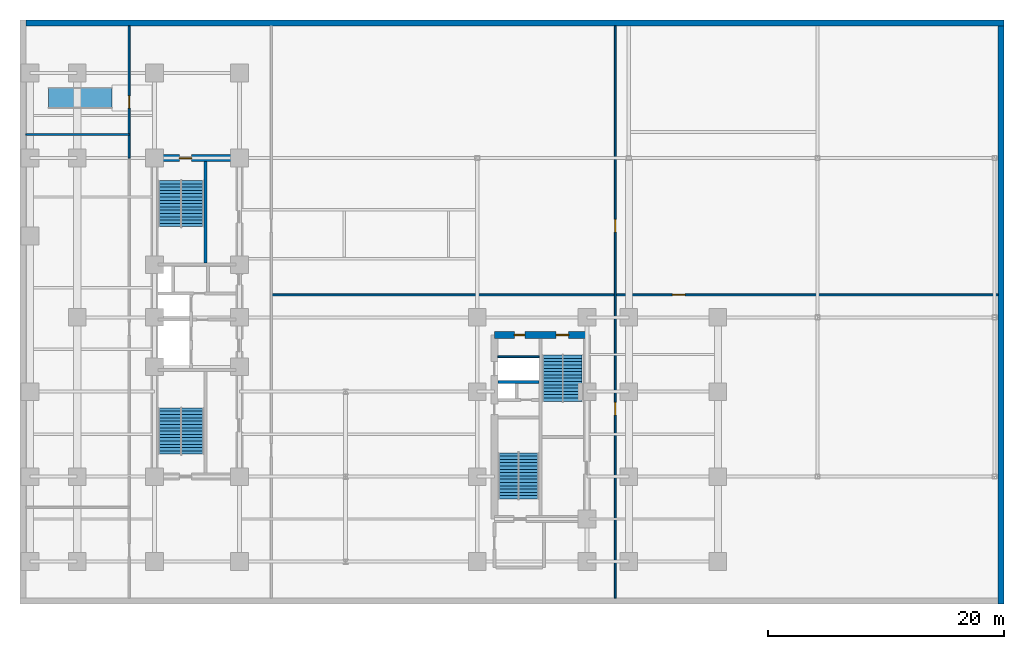
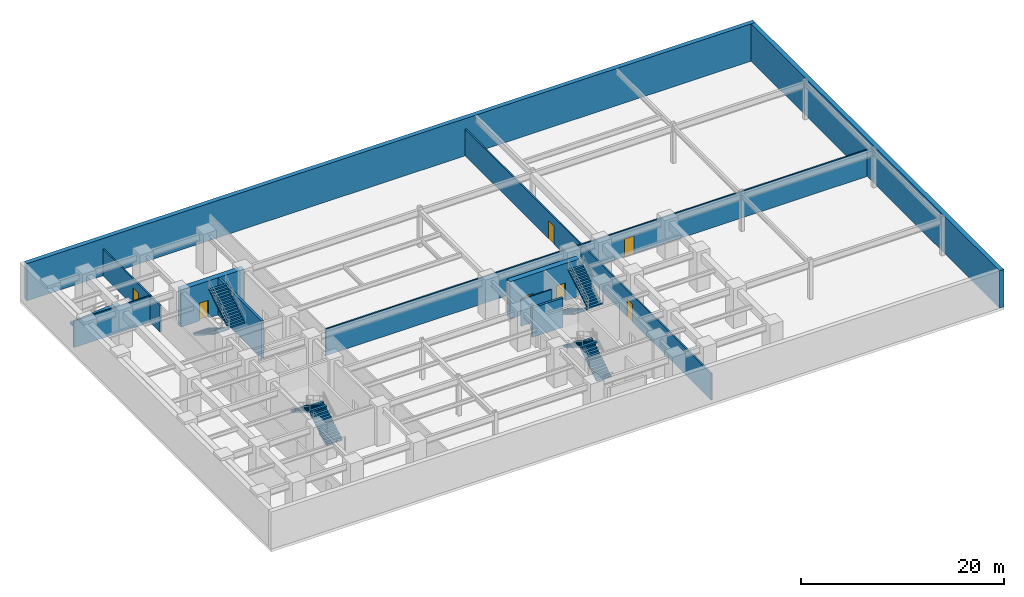
# One storey, part 6 of 9: 11 walls, 8 stair flights, 7 doors, 1 ramp flight, 7 openings, 5 elements without a shape of their own.
"""IFC4 building model written with IfcOpenShell, lengths in metres."""

from ifc_helpers import new_model, entity, si_unit, converted_unit, direction, frame, origin_with_axes, origin_2d_with_axis, place, context, subcontext, project, spatial, polyline, rectangle, outline, extrude, triangles, material, layer, layer_set, type_object, element, fill, aggregate, save


model = new_model("IFC4")

# Units and contexts
model_context = context("Model", 3, precision=1e-05, world=origin_with_axes(), true_north=direction((0.0, 1.0)))
body_context = subcontext(model_context, "Body", "Model", "MODEL_VIEW")
ifc_project = project(units=[si_unit("LENGTHUNIT", "METRE"), si_unit("AREAUNIT", "SQUARE_METRE"), si_unit("VOLUMEUNIT", "CUBIC_METRE"), converted_unit("PLANEANGLEUNIT", "DEGREE", entity("IfcPlaneAngleMeasure", 0.017453292519943295), si_unit("PLANEANGLEUNIT", "RADIAN"), dimensions=[0, 0, 0, 0, 0, 0, 0]), si_unit("MASSUNIT", "GRAM", prefix="KILO"), si_unit("THERMODYNAMICTEMPERATUREUNIT", "KELVIN")], contexts=[model_context])

# Site, building, storey
site_placement = place(None, origin_with_axes())
site = spatial("IfcSite", under=ifc_project, at=site_placement, CompositionType="ELEMENT")
building_placement = place(site_placement, origin_with_axes())
building = spatial("IfcBuilding", under=site, at=building_placement, Name="Varnlund Millrace Tower", CompositionType="ELEMENT")
storey_placement = place(building_placement, frame((0.0, 0.0, -4.8), z_axis=(0.0, 0.0, 1.0), x_axis=(1.0, 0.0, 0.0)))
storey = spatial("IfcBuildingStorey", under=building, at=storey_placement, Name="B1", CompositionType="ELEMENT", Elevation=-4.8)

# Wall, opening, door
ifc_material_1 = material(Name="Concrete C80/95", Category="concrete")
ifc_layer_1 = layer(ifc_material_1, 0.6, Name="Concrete C80/95")
ifc_layer_set_1 = layer_set([ifc_layer_1], Name="Concrete C80/95")
wall_type_1 = type_object("IfcWallType", Name="Type-CoreWall-Shear-600-C80", PredefinedType="SHEAR", material=ifc_layer_set_1)
wall_1_placement = place(storey_placement, frame((11.4, 37.8, 0.0), z_axis=(0.0, 0.0, 1.0), x_axis=(1.0, 0.0, 0.0)))
wall_1 = element("IfcWall", 1, at=wall_1_placement, inside=storey, type_object=wall_type_1, Name="Type-CoreWall-Shear-600-C80", PredefinedType="SHEAR", context=body_context, shape_type="SweptSolid", body=[
    extrude(outline(polyline([(0.0, -0.3), (7.2, -0.3), (7.2, 0.3), (0.0, 0.3), (0.0, -0.3)])), origin_with_axes(), (0.0, 0.0, 1.0), 4.48),
])
opening_1_placement = place(wall_1_placement, frame((2.625, 0.0, 0.0), z_axis=(0.0, 0.0, 1.0), x_axis=(1.0, 0.0, 0.0)))
opening_1 = element("IfcOpeningElement", 2, at=opening_1_placement, cuts=wall_1, Name="Opening B1:DR-STA2", PredefinedType="OPENING", context=body_context, shape_type="SweptSolid", body=[
    extrude(rectangle(XDim=1.05, YDim=0.62, at=origin_2d_with_axis()), origin_with_axes(), (0.0, 0.0, 1.0), 2.15),
])
ifc_material_2 = material(Name="Fire-rated hollow steel door", Category="steel")
door_type_1 = type_object("IfcDoorType", Name="Type-FireDoor-Stair-1050X2150", OperationType="NOTDEFINED", PredefinedType="DOOR", material=ifc_material_2)
door_1_placement = place(wall_1_placement, frame((2.625, 0.0, 0.0), z_axis=(0.0, 0.0, 1.0), x_axis=(1.0, 0.0, 0.0)))
door_1 = element("IfcDoor", 3, at=door_1_placement, inside=storey, type_object=door_type_1, Name="Type-FireDoor-Stair-1050X2150", OperationType="SINGLE_SWING_RIGHT", OverallHeight=2.15, OverallWidth=1.05, PredefinedType="DOOR", context=body_context, shape_type="SweptSolid", body=[
    extrude(rectangle(XDim=1.05, YDim=0.09, at=origin_2d_with_axis()), origin_with_axes(), (0.0, 0.0, 1.0), 2.15),
])
fill(opening_1, door_1)

# Wall, openings, doors
wall_2_placement = place(storey_placement, frame((40.2, 22.8, 0.0), z_axis=(0.0, 0.0, 1.0), x_axis=(1.0, 0.0, 0.0)))
wall_2 = element("IfcWall", 4, at=wall_2_placement, inside=storey, type_object=wall_type_1, Name="Type-CoreWall-Shear-600-C80", PredefinedType="SHEAR", context=body_context, shape_type="SweptSolid", body=[
    extrude(outline(polyline([(0.0, -0.3), (7.85, -0.3), (7.85, 0.3), (0.0, 0.3), (0.0, -0.3)])), origin_with_axes(), (0.0, 0.0, 1.0), 4.48),
])
opening_2_placement = place(wall_2_placement, frame((5.775, 0.0, 0.0), z_axis=(0.0, 0.0, 1.0), x_axis=(1.0, 0.0, 0.0)))
opening_2 = element("IfcOpeningElement", 5, at=opening_2_placement, cuts=wall_2, Name="Opening B1:DR-STB2", PredefinedType="OPENING", context=body_context, shape_type="SweptSolid", body=[
    extrude(rectangle(XDim=1.05, YDim=0.62, at=origin_2d_with_axis()), origin_with_axes(), (0.0, 0.0, 1.0), 2.15),
])
opening_3_placement = place(wall_2_placement, frame((2.15, 0.0, 0.0), z_axis=(0.0, 0.0, 1.0), x_axis=(1.0, 0.0, 0.0)))
opening_3 = element("IfcOpeningElement", 6, at=opening_3_placement, cuts=wall_2, Name="Opening B1:DR-CB-NW", PredefinedType="OPENING", context=body_context, shape_type="SweptSolid", body=[
    extrude(rectangle(XDim=0.9, YDim=0.62, at=origin_2d_with_axis()), origin_with_axes(), (0.0, 0.0, 1.0), 2.15),
])
ifc_material_3 = material(Name="Fire-rated hollow steel service closet door", Category="steel")
door_type_2 = type_object("IfcDoorType", Name="Type-FireDoor-Closet-900X2150", OperationType="NOTDEFINED", PredefinedType="DOOR", material=ifc_material_3)
door_2_placement = place(wall_2_placement, frame((2.15, 0.0, 0.0), z_axis=(0.0, 0.0, 1.0), x_axis=(1.0, 0.0, 0.0)))
door_2 = element("IfcDoor", 7, at=door_2_placement, inside=storey, type_object=door_type_2, Name="Type-FireDoor-Closet-900X2150", OperationType="SINGLE_SWING_LEFT", OverallHeight=2.15, OverallWidth=0.9, PredefinedType="DOOR", context=body_context, shape_type="SweptSolid", body=[
    extrude(rectangle(XDim=0.9, YDim=0.09, at=origin_2d_with_axis()), origin_with_axes(), (0.0, 0.0, 1.0), 2.15),
])
fill(opening_3, door_2)
door_3_placement = place(wall_2_placement, frame((5.775, 0.0, 0.0), z_axis=(0.0, 0.0, 1.0), x_axis=(1.0, 0.0, 0.0)))
door_3 = element("IfcDoor", 8, at=door_3_placement, inside=storey, type_object=door_type_1, Name="Type-FireDoor-Stair-1050X2150", OperationType="SINGLE_SWING_RIGHT", OverallHeight=2.15, OverallWidth=1.05, PredefinedType="DOOR", context=body_context, shape_type="SweptSolid", body=[
    extrude(rectangle(XDim=1.05, YDim=0.09, at=origin_2d_with_axis()), origin_with_axes(), (0.0, 0.0, 1.0), 2.15),
])
fill(opening_2, door_3)

# Wall
ifc_material_4 = material(Name="Fire-rated gypsum board on cold-formed steel framing", Category="steel")
ifc_layer_2 = layer(ifc_material_4, 0.16, Name="Fire-rated gypsum board on cold-formed steel framing")
ifc_layer_set_2 = layer_set([ifc_layer_2], Name="Fire-rated gypsum board on cold-formed steel framing")
wall_type_2 = type_object("IfcWallType", Name="Type-Partition-Corridor-160", PredefinedType="PARTITIONING", material=ifc_layer_set_2)
wall_3_placement = place(storey_placement, frame((40.5, 20.96, 0.0), z_axis=(0.0, 0.0, 1.0), x_axis=(1.0, 0.0, 0.0)))
element("IfcWall", 9, at=wall_3_placement, inside=storey, type_object=wall_type_2, Name="Type-Partition-Corridor-160", PredefinedType="PARTITIONING", context=body_context, shape_type="SweptSolid", body=[
    extrude(outline(polyline([(0.0, -0.08), (3.5, -0.08), (3.5, 0.08), (0.0, 0.08), (0.0, -0.08)])), origin_with_axes(), (0.0, 0.0, 1.0), 3.2),
])

# Wall, opening, door
wall_4_placement = place(storey_placement, frame((9.25, 37.8, 0.0), z_axis=(0.0, 0.0, 1.0), x_axis=(0.0, 1.0, 0.0)))
wall_4 = element("IfcWall", 10, at=wall_4_placement, inside=storey, type_object=wall_type_2, Name="Type-Partition-Corridor-160", PredefinedType="PARTITIONING", context=body_context, shape_type="SweptSolid", body=[
    extrude(outline(polyline([(0.0, -0.08), (11.2, -0.08), (11.2, 0.08), (0.0, 0.08), (0.0, -0.08)])), origin_with_axes(), (0.0, 0.0, 1.0), 3.2),
])
opening_4_placement = place(wall_4_placement, frame((4.75, 0.0, 0.0), z_axis=(0.0, 0.0, 1.0), x_axis=(1.0, 0.0, 0.0)))
opening_4 = element("IfcOpeningElement", 11, at=opening_4_placement, cuts=wall_4, Name="Opening B1:DR-SUB", PredefinedType="OPENING", context=body_context, shape_type="SweptSolid", body=[
    extrude(rectangle(XDim=1.1, YDim=0.18, at=origin_2d_with_axis()), origin_with_axes(), (0.0, 0.0, 1.0), 2.15),
])
ifc_material_5 = material(Name="Fire-rated mechanical room steel door", Category="steel")
door_type_3 = type_object("IfcDoorType", Name="Type-FireDoor-Plant-1100X2150", OperationType="NOTDEFINED", PredefinedType="DOOR", material=ifc_material_5)
door_4_placement = place(wall_4_placement, frame((4.75, 0.0, 0.0), z_axis=(0.0, 0.0, 1.0), x_axis=(1.0, 0.0, 0.0)))
door_4 = element("IfcDoor", 12, at=door_4_placement, inside=storey, type_object=door_type_3, Name="Type-FireDoor-Plant-1100X2150", OperationType="SINGLE_SWING_LEFT", OverallHeight=2.15, OverallWidth=1.1, PredefinedType="DOOR", context=body_context, shape_type="SweptSolid", body=[
    extrude(rectangle(XDim=1.1, YDim=0.09, at=origin_2d_with_axis()), origin_with_axes(), (0.0, 0.0, 1.0), 2.15),
])
fill(opening_4, door_4)

wall_5_placement = place(storey_placement, frame((21.3, 26.2, 0.0), z_axis=(0.0, 0.0, 1.0), x_axis=(1.0, 0.0, 0.0)))
wall_5 = element("IfcWall", 13, at=wall_5_placement, inside=storey, type_object=wall_type_2, Name="Type-Partition-Corridor-160", PredefinedType="PARTITIONING", context=body_context, shape_type="SweptSolid", body=[
    extrude(outline(polyline([(0.0, -0.08), (61.6, -0.08), (61.6, 0.08), (0.0, 0.08), (0.0, -0.08)])), origin_with_axes(), (0.0, 0.0, 1.0), 3.2),
])
opening_5_placement = place(wall_5_placement, frame((34.55, 0.0, 0.0), z_axis=(0.0, 0.0, 1.0), x_axis=(1.0, 0.0, 0.0)))
opening_5 = element("IfcOpeningElement", 14, at=opening_5_placement, cuts=wall_5, Name="Opening B1:DR-B1-PKG2", PredefinedType="OPENING", context=body_context, shape_type="SweptSolid", body=[
    extrude(rectangle(XDim=1.1, YDim=0.18, at=origin_2d_with_axis()), origin_with_axes(), (0.0, 0.0, 1.0), 2.15),
])
door_5_placement = place(wall_5_placement, frame((34.55, 0.0, 0.0), z_axis=(0.0, 0.0, 1.0), x_axis=(1.0, 0.0, 0.0)))
door_5 = element("IfcDoor", 15, at=door_5_placement, inside=storey, type_object=door_type_3, Name="Type-FireDoor-Plant-1100X2150", OperationType="SINGLE_SWING_LEFT", OverallHeight=2.15, OverallWidth=1.1, PredefinedType="DOOR", context=body_context, shape_type="SweptSolid", body=[
    extrude(rectangle(XDim=1.1, YDim=0.09, at=origin_2d_with_axis()), origin_with_axes(), (0.0, 0.0, 1.0), 2.15),
])
fill(opening_5, door_5)

# Wall, openings, doors
wall_6_placement = place(storey_placement, frame((50.45, 0.5, 0.0), z_axis=(0.0, 0.0, 1.0), x_axis=(0.0, 1.0, 0.0)))
wall_6 = element("IfcWall", 16, at=wall_6_placement, inside=storey, type_object=wall_type_2, Name="Type-Partition-Corridor-160", PredefinedType="PARTITIONING", context=body_context, shape_type="SweptSolid", body=[
    extrude(outline(polyline([(0.0, -0.08), (48.5, -0.08), (48.5, 0.08), (0.0, 0.08), (0.0, -0.08)])), origin_with_axes(), (0.0, 0.0, 1.0), 3.2),
])
opening_6_placement = place(wall_6_placement, frame((31.55, 0.0, 0.0), z_axis=(0.0, 0.0, 1.0), x_axis=(1.0, 0.0, 0.0)))
opening_6 = element("IfcOpeningElement", 17, at=opening_6_placement, cuts=wall_6, Name="Opening B1:DR-PKG", PredefinedType="OPENING", context=body_context, shape_type="SweptSolid", body=[
    extrude(rectangle(XDim=1.1, YDim=0.18, at=origin_2d_with_axis()), origin_with_axes(), (0.0, 0.0, 1.0), 2.15),
])
opening_7_placement = place(wall_6_placement, frame((16.05, 0.0, 0.0), z_axis=(0.0, 0.0, 1.0), x_axis=(1.0, 0.0, 0.0)))
opening_7 = element("IfcOpeningElement", 18, at=opening_7_placement, cuts=wall_6, Name="Opening B1:DR-MDF", PredefinedType="OPENING", context=body_context, shape_type="SweptSolid", body=[
    extrude(rectangle(XDim=1.1, YDim=0.18, at=origin_2d_with_axis()), origin_with_axes(), (0.0, 0.0, 1.0), 2.15),
])
door_6_placement = place(wall_6_placement, frame((31.55, 0.0, 0.0), z_axis=(0.0, 0.0, 1.0), x_axis=(1.0, 0.0, 0.0)))
door_6 = element("IfcDoor", 19, at=door_6_placement, inside=storey, type_object=door_type_3, Name="Type-FireDoor-Plant-1100X2150", OperationType="SINGLE_SWING_LEFT", OverallHeight=2.15, OverallWidth=1.1, PredefinedType="DOOR", context=body_context, shape_type="SweptSolid", body=[
    extrude(rectangle(XDim=1.1, YDim=0.09, at=origin_2d_with_axis()), origin_with_axes(), (0.0, 0.0, 1.0), 2.15),
])
fill(opening_6, door_6)
door_7_placement = place(wall_6_placement, frame((16.05, 0.0, 0.0), z_axis=(0.0, 0.0, 1.0), x_axis=(1.0, 0.0, 0.0)))
door_7 = element("IfcDoor", 20, at=door_7_placement, inside=storey, type_object=door_type_3, Name="Type-FireDoor-Plant-1100X2150", OperationType="SINGLE_SWING_LEFT", OverallHeight=2.15, OverallWidth=1.1, PredefinedType="DOOR", context=body_context, shape_type="SweptSolid", body=[
    extrude(rectangle(XDim=1.1, YDim=0.09, at=origin_2d_with_axis()), origin_with_axes(), (0.0, 0.0, 1.0), 2.15),
])
fill(opening_7, door_7)

# Walls
wall_7_placement = place(storey_placement, frame((0.5, 39.8, 0.0), z_axis=(0.0, 0.0, 1.0), x_axis=(1.0, 0.0, 0.0)))
element("IfcWall", 21, at=wall_7_placement, inside=storey, type_object=wall_type_2, Name="Type-Partition-Corridor-160", PredefinedType="PARTITIONING", context=body_context, shape_type="SweptSolid", body=[
    extrude(outline(polyline([(0.0, -0.08), (8.75, -0.08), (8.75, 0.08), (0.0, 0.08), (0.0, -0.08)])), origin_with_axes(), (0.0, 0.0, 1.0), 3.2),
])
ifc_material_6 = material(Name="Concrete C60/75", Category="concrete")
ifc_layer_3 = layer(ifc_material_6, 0.25, Name="Concrete C60/75")
ifc_layer_set_3 = layer_set([ifc_layer_3], Name="Concrete C60/75")
wall_type_3 = type_object("IfcWallType", Name="Type-ShaftWall-Fire-250", PredefinedType="SOLIDWALL", material=ifc_layer_set_3)
wall_8_placement = place(storey_placement, frame((40.5, 18.8, 0.0), z_axis=(0.0, 0.0, 1.0), x_axis=(1.0, 0.0, 0.0)))
element("IfcWall", 22, at=wall_8_placement, inside=storey, type_object=wall_type_3, Name="Type-ShaftWall-Fire-250", PredefinedType="SOLIDWALL", context=body_context, shape_type="SweptSolid", body=[
    extrude(outline(polyline([(0.0, -0.125), (3.5, -0.125), (3.5, 0.125), (0.0, 0.125), (0.0, -0.125)])), origin_with_axes(), (0.0, 0.0, 1.0), 3.52),
])
wall_type_4 = type_object("IfcWallType", Name="Type-StairWall-Shear-250", PredefinedType="SHEAR", material=ifc_layer_set_3)
wall_9_placement = place(storey_placement, frame((15.725, 28.9, 0.0), z_axis=(0.0, 0.0, 1.0), x_axis=(0.0, 1.0, 0.0)))
element("IfcWall", 23, at=wall_9_placement, inside=storey, type_object=wall_type_4, Name="Type-StairWall-Shear-250", PredefinedType="SHEAR", context=body_context, shape_type="SweptSolid", body=[
    extrude(outline(polyline([(0.0, -0.125), (8.6, -0.125), (8.6, 0.125), (0.0, 0.125), (0.0, -0.125)])), origin_with_axes(), (0.0, 0.0, 1.0), 4.48),
])
ifc_material_7 = material(Name="Concrete C50/60", Category="concrete")
ifc_layer_4 = layer(ifc_material_7, 0.5, Name="Concrete C50/60")
ifc_layer_set_4 = layer_set([ifc_layer_4], Name="Concrete C50/60")
wall_type_5 = type_object("IfcWallType", Name="Type-Subgrade-Wall-500", PredefinedType="USERDEFINED", material=ifc_layer_set_4)
wall_10_placement = place(storey_placement, frame((0.5, 49.25, 0.0), z_axis=(0.0, 0.0, 1.0), x_axis=(1.0, 0.0, 0.0)))
element("IfcWall", 24, at=wall_10_placement, inside=storey, type_object=wall_type_5, Name="Type-Subgrade-Wall-500", ObjectType="RETAININGWALL", PredefinedType="USERDEFINED", context=body_context, shape_type="SweptSolid", body=[
    extrude(outline(polyline([(0.0, -0.25), (82.9, -0.25), (82.9, 0.25), (0.0, 0.25), (0.0, -0.25)])), origin_with_axes(), (0.0, 0.0, 1.0), 4.48),
])
wall_11_placement = place(storey_placement, frame((83.15, 49.0, 0.0), z_axis=(0.0, 0.0, 1.0), x_axis=(0.0, -1.0, 0.0)))
element("IfcWall", 25, at=wall_11_placement, inside=storey, type_object=wall_type_5, Name="Type-Subgrade-Wall-500", ObjectType="RETAININGWALL", PredefinedType="USERDEFINED", context=body_context, shape_type="SweptSolid", body=[
    extrude(outline(polyline([(0.0, -0.25), (49.0, -0.25), (49.0, 0.25), (0.0, 0.25), (0.0, -0.25)])), origin_with_axes(), (0.0, 0.0, 1.0), 4.48),
])

# Stair, stair flights
stair_type_1 = type_object("IfcStairType", Name="Type-Stair-Dogleg-165-480", PredefinedType="HALF_TURN_STAIR", material=ifc_material_7)
stair_1_placement = place(storey_placement, origin_with_axes())
stair_1 = element("IfcStair", 26, at=stair_1_placement, inside=storey, type_object=stair_type_1, Name="Type-Stair-Dogleg-165-480", PredefinedType="HALF_TURN_STAIR")
ifc_material_8 = material(Name="Precast concrete C50/60", Category="concrete")
stair_flight_type_1 = type_object("IfcStairFlightType", Name="Type-Dogleg-Run-165-480", PredefinedType="STRAIGHT", material=ifc_material_8)
stair_flight_1_placement = place(storey_placement, frame((42.225, 8.9, 0.0), z_axis=(1.0, 0.0, 0.0), x_axis=(0.0, 1.0, 0.0)))
stair_flight_1 = element("IfcStairFlight", 27, at=stair_flight_1_placement, type_object=stair_flight_type_1, Name="ST-B1 flight 1", NumberOfRisers=14, NumberOfTreads=14, PredefinedType="STRAIGHT", RiserHeight=0.171429, TreadLength=0.28, context=body_context, shape_type="SweptSolid", body=[
    extrude(outline(polyline([(0.0, 0.0), (0.0, 0.171429), (0.28, 0.171429), (0.28, 0.342857), (0.56, 0.342857), (0.56, 0.514286), (0.84, 0.514286), (0.84, 0.685714), (1.12, 0.685714), (1.12, 0.857143), (1.4, 0.857143), (1.4, 1.028572), (1.68, 1.028572), (1.68, 1.2), (1.96, 1.2), (1.96, 1.371429), (2.24, 1.371429), (2.24, 1.542857), (2.52, 1.542857), (2.52, 1.714286), (2.8, 1.714286), (2.8, 1.885715), (3.08, 1.885715), (3.08, 2.057143), (3.36, 2.057143), (3.36, 2.228572), (3.64, 2.228572), (3.64, 2.4), (3.92, 2.4), (3.92, 2.25), (0.28, 0.0), (0.0, 0.0)])), origin_with_axes(), (0.0, 0.0, 1.0), 1.65),
])
stair_flight_2_placement = place(storey_placement, frame((42.275, 12.82, 2.4), z_axis=(-1.0, 0.0, 0.0), x_axis=(0.0, -1.0, 0.0)))
stair_flight_2 = element("IfcStairFlight", 28, at=stair_flight_2_placement, type_object=stair_flight_type_1, Name="ST-B1 flight 2", NumberOfRisers=14, NumberOfTreads=14, PredefinedType="STRAIGHT", RiserHeight=0.171429, TreadLength=0.28, context=body_context, shape_type="SweptSolid", body=[
    extrude(outline(polyline([(0.0, 0.0), (0.0, 0.171429), (0.28, 0.171429), (0.28, 0.342857), (0.56, 0.342857), (0.56, 0.514286), (0.84, 0.514286), (0.84, 0.685714), (1.12, 0.685714), (1.12, 0.857143), (1.4, 0.857143), (1.4, 1.028572), (1.68, 1.028572), (1.68, 1.2), (1.96, 1.2), (1.96, 1.371429), (2.24, 1.371429), (2.24, 1.542857), (2.52, 1.542857), (2.52, 1.714286), (2.8, 1.714286), (2.8, 1.885715), (3.08, 1.885715), (3.08, 2.057143), (3.36, 2.057143), (3.36, 2.228572), (3.64, 2.228572), (3.64, 2.4), (3.92, 2.4), (3.92, 2.25), (0.28, 0.0), (0.0, 0.0)])), origin_with_axes(), (0.0, 0.0, 1.0), 1.65),
])
aggregate(stair_1, [stair_flight_1, stair_flight_2])

stair_2_placement = place(storey_placement, origin_with_axes())
stair_2 = element("IfcStair", 29, at=stair_2_placement, inside=storey, type_object=stair_type_1, Name="Type-Stair-Dogleg-165-480", PredefinedType="HALF_TURN_STAIR")
stair_flight_3_placement = place(storey_placement, frame((46.025, 21.1, 0.0), z_axis=(-1.0, 0.0, 0.0), x_axis=(0.0, -1.0, 0.0)))
stair_flight_3 = element("IfcStairFlight", 30, at=stair_flight_3_placement, type_object=stair_flight_type_1, Name="ST-B2 flight 1", NumberOfRisers=14, NumberOfTreads=14, PredefinedType="STRAIGHT", RiserHeight=0.171429, TreadLength=0.28, context=body_context, shape_type="SweptSolid", body=[
    extrude(outline(polyline([(0.0, 0.0), (0.0, 0.171429), (0.28, 0.171429), (0.28, 0.342857), (0.56, 0.342857), (0.56, 0.514286), (0.84, 0.514286), (0.84, 0.685714), (1.12, 0.685714), (1.12, 0.857143), (1.4, 0.857143), (1.4, 1.028572), (1.68, 1.028572), (1.68, 1.2), (1.96, 1.2), (1.96, 1.371429), (2.24, 1.371429), (2.24, 1.542857), (2.52, 1.542857), (2.52, 1.714286), (2.8, 1.714286), (2.8, 1.885715), (3.08, 1.885715), (3.08, 2.057143), (3.36, 2.057143), (3.36, 2.228572), (3.64, 2.228572), (3.64, 2.4), (3.92, 2.4), (3.92, 2.25), (0.28, 0.0), (0.0, 0.0)])), origin_with_axes(), (0.0, 0.0, 1.0), 1.65),
])
stair_flight_4_placement = place(storey_placement, frame((45.975, 17.18, 2.4), z_axis=(1.0, 0.0, 0.0), x_axis=(0.0, 1.0, 0.0)))
stair_flight_4 = element("IfcStairFlight", 31, at=stair_flight_4_placement, type_object=stair_flight_type_1, Name="ST-B2 flight 2", NumberOfRisers=14, NumberOfTreads=14, PredefinedType="STRAIGHT", RiserHeight=0.171429, TreadLength=0.28, context=body_context, shape_type="SweptSolid", body=[
    extrude(outline(polyline([(0.0, 0.0), (0.0, 0.171429), (0.28, 0.171429), (0.28, 0.342857), (0.56, 0.342857), (0.56, 0.514286), (0.84, 0.514286), (0.84, 0.685714), (1.12, 0.685714), (1.12, 0.857143), (1.4, 0.857143), (1.4, 1.028572), (1.68, 1.028572), (1.68, 1.2), (1.96, 1.2), (1.96, 1.371429), (2.24, 1.371429), (2.24, 1.542857), (2.52, 1.542857), (2.52, 1.714286), (2.8, 1.714286), (2.8, 1.885715), (3.08, 1.885715), (3.08, 2.057143), (3.36, 2.057143), (3.36, 2.228572), (3.64, 2.228572), (3.64, 2.4), (3.92, 2.4), (3.92, 2.25), (0.28, 0.0), (0.0, 0.0)])), origin_with_axes(), (0.0, 0.0, 1.0), 1.65),
])
aggregate(stair_2, [stair_flight_3, stair_flight_4])

stair_type_2 = type_object("IfcStairType", Name="Type-Stair-Dogleg-185-480", PredefinedType="HALF_TURN_STAIR", material=ifc_material_7)
stair_3_placement = place(storey_placement, origin_with_axes())
stair_3 = element("IfcStair", 32, at=stair_3_placement, inside=storey, type_object=stair_type_2, Name="Type-Stair-Dogleg-185-480", PredefinedType="HALF_TURN_STAIR")
stair_flight_type_2 = type_object("IfcStairFlightType", Name="Type-Dogleg-Run-185-480", PredefinedType="STRAIGHT", material=ifc_material_8)
stair_flight_5_placement = place(storey_placement, frame((13.625, 12.7, 0.0), z_axis=(1.0, 0.0, 0.0), x_axis=(0.0, 1.0, 0.0)))
stair_flight_5 = element("IfcStairFlight", 33, at=stair_flight_5_placement, type_object=stair_flight_type_2, Name="ST-A1 flight 1", NumberOfRisers=14, NumberOfTreads=14, PredefinedType="STRAIGHT", RiserHeight=0.171429, TreadLength=0.28, context=body_context, shape_type="SweptSolid", body=[
    extrude(outline(polyline([(0.0, 0.0), (0.0, 0.171429), (0.28, 0.171429), (0.28, 0.342857), (0.56, 0.342857), (0.56, 0.514286), (0.84, 0.514286), (0.84, 0.685714), (1.12, 0.685714), (1.12, 0.857143), (1.4, 0.857143), (1.4, 1.028572), (1.68, 1.028572), (1.68, 1.2), (1.96, 1.2), (1.96, 1.371429), (2.24, 1.371429), (2.24, 1.542857), (2.52, 1.542857), (2.52, 1.714286), (2.8, 1.714286), (2.8, 1.885715), (3.08, 1.885715), (3.08, 2.057143), (3.36, 2.057143), (3.36, 2.228572), (3.64, 2.228572), (3.64, 2.4), (3.92, 2.4), (3.92, 2.25), (0.28, 0.0), (0.0, 0.0)])), origin_with_axes(), (0.0, 0.0, 1.0), 1.85),
])
stair_flight_6_placement = place(storey_placement, frame((13.675, 16.62, 2.4), z_axis=(-1.0, 0.0, 0.0), x_axis=(0.0, -1.0, 0.0)))
stair_flight_6 = element("IfcStairFlight", 34, at=stair_flight_6_placement, type_object=stair_flight_type_2, Name="ST-A1 flight 2", NumberOfRisers=14, NumberOfTreads=14, PredefinedType="STRAIGHT", RiserHeight=0.171429, TreadLength=0.28, context=body_context, shape_type="SweptSolid", body=[
    extrude(outline(polyline([(0.0, 0.0), (0.0, 0.171429), (0.28, 0.171429), (0.28, 0.342857), (0.56, 0.342857), (0.56, 0.514286), (0.84, 0.514286), (0.84, 0.685714), (1.12, 0.685714), (1.12, 0.857143), (1.4, 0.857143), (1.4, 1.028572), (1.68, 1.028572), (1.68, 1.2), (1.96, 1.2), (1.96, 1.371429), (2.24, 1.371429), (2.24, 1.542857), (2.52, 1.542857), (2.52, 1.714286), (2.8, 1.714286), (2.8, 1.885715), (3.08, 1.885715), (3.08, 2.057143), (3.36, 2.057143), (3.36, 2.228572), (3.64, 2.228572), (3.64, 2.4), (3.92, 2.4), (3.92, 2.25), (0.28, 0.0), (0.0, 0.0)])), origin_with_axes(), (0.0, 0.0, 1.0), 1.85),
])
aggregate(stair_3, [stair_flight_5, stair_flight_6])

stair_4_placement = place(storey_placement, origin_with_axes())
stair_4 = element("IfcStair", 35, at=stair_4_placement, inside=storey, type_object=stair_type_2, Name="Type-Stair-Dogleg-185-480", PredefinedType="HALF_TURN_STAIR")
stair_flight_7_placement = place(storey_placement, frame((13.675, 35.9, 0.0), z_axis=(-1.0, 0.0, 0.0), x_axis=(0.0, -1.0, 0.0)))
stair_flight_7 = element("IfcStairFlight", 36, at=stair_flight_7_placement, type_object=stair_flight_type_2, Name="ST-A2 flight 1", NumberOfRisers=14, NumberOfTreads=14, PredefinedType="STRAIGHT", RiserHeight=0.171429, TreadLength=0.28, context=body_context, shape_type="SweptSolid", body=[
    extrude(outline(polyline([(0.0, 0.0), (0.0, 0.171429), (0.28, 0.171429), (0.28, 0.342857), (0.56, 0.342857), (0.56, 0.514286), (0.84, 0.514286), (0.84, 0.685714), (1.12, 0.685714), (1.12, 0.857143), (1.4, 0.857143), (1.4, 1.028572), (1.68, 1.028572), (1.68, 1.2), (1.96, 1.2), (1.96, 1.371429), (2.24, 1.371429), (2.24, 1.542857), (2.52, 1.542857), (2.52, 1.714286), (2.8, 1.714286), (2.8, 1.885715), (3.08, 1.885715), (3.08, 2.057143), (3.36, 2.057143), (3.36, 2.228572), (3.64, 2.228572), (3.64, 2.4), (3.92, 2.4), (3.92, 2.25), (0.28, 0.0), (0.0, 0.0)])), origin_with_axes(), (0.0, 0.0, 1.0), 1.85),
])
stair_flight_8_placement = place(storey_placement, frame((13.625, 31.98, 2.4), z_axis=(1.0, 0.0, 0.0), x_axis=(0.0, 1.0, 0.0)))
stair_flight_8 = element("IfcStairFlight", 37, at=stair_flight_8_placement, type_object=stair_flight_type_2, Name="ST-A2 flight 2", NumberOfRisers=14, NumberOfTreads=14, PredefinedType="STRAIGHT", RiserHeight=0.171429, TreadLength=0.28, context=body_context, shape_type="SweptSolid", body=[
    extrude(outline(polyline([(0.0, 0.0), (0.0, 0.171429), (0.28, 0.171429), (0.28, 0.342857), (0.56, 0.342857), (0.56, 0.514286), (0.84, 0.514286), (0.84, 0.685714), (1.12, 0.685714), (1.12, 0.857143), (1.4, 0.857143), (1.4, 1.028572), (1.68, 1.028572), (1.68, 1.2), (1.96, 1.2), (1.96, 1.371429), (2.24, 1.371429), (2.24, 1.542857), (2.52, 1.542857), (2.52, 1.714286), (2.8, 1.714286), (2.8, 1.885715), (3.08, 1.885715), (3.08, 2.057143), (3.36, 2.057143), (3.36, 2.228572), (3.64, 2.228572), (3.64, 2.4), (3.92, 2.4), (3.92, 2.25), (0.28, 0.0), (0.0, 0.0)])), origin_with_axes(), (0.0, 0.0, 1.0), 1.85),
])
aggregate(stair_4, [stair_flight_7, stair_flight_8])

# Ramp, ramp flight
ramp_type = type_object("IfcRampType", Name="Type-Ramp-Accessible-1to12", PredefinedType="STRAIGHT_RUN_RAMP", material=ifc_material_7)
ramp_placement = place(storey_placement, frame((2.4, 42.0, 0.0), z_axis=(0.0, 0.0, 1.0), x_axis=(1.0, 0.0, 0.0)))
ramp = element("IfcRamp", 38, at=ramp_placement, inside=storey, type_object=ramp_type, Name="Type-Ramp-Accessible-1to12", PredefinedType="STRAIGHT_RUN_RAMP")
ramp_flight_type = type_object("IfcRampFlightType", Name="Type-Accessible-Slope-Granite-250", PredefinedType="STRAIGHT", material=ifc_material_7)
ramp_flight_placement = place(storey_placement, frame((0.0, 0.0, 4.8), z_axis=(0.0, 0.0, 1.0), x_axis=(1.0, 0.0, 0.0)))
ramp_flight = element("IfcRampFlight", 39, at=ramp_flight_placement, type_object=ramp_flight_type, Name="Type-Accessible-Slope-Granite-250", PredefinedType="STRAIGHT", context=body_context, shape_type="Tessellation", body=[
    triangles([(2.4, 42.0, -4.8), (7.8, 42.0, -4.35), (7.8, 43.8, -4.35), (2.4, 43.8, -4.8), (2.4, 42.0, -5.05), (7.8, 42.0, -4.6), (7.8, 43.8, -4.6), (2.4, 43.8, -5.05)], [[1, 2, 3], [1, 3, 4], [5, 7, 6], [5, 8, 7], [1, 5, 6], [1, 6, 2], [2, 6, 7], [2, 7, 3], [3, 7, 8], [3, 8, 4], [4, 8, 5], [4, 5, 1]], closed=True),
])
aggregate(ramp, [ramp_flight])

save(model, "model.ifc")
